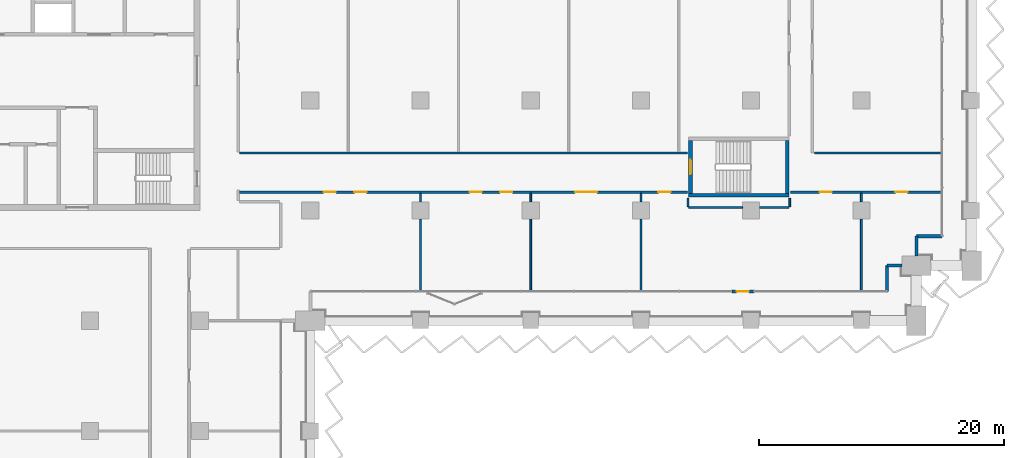
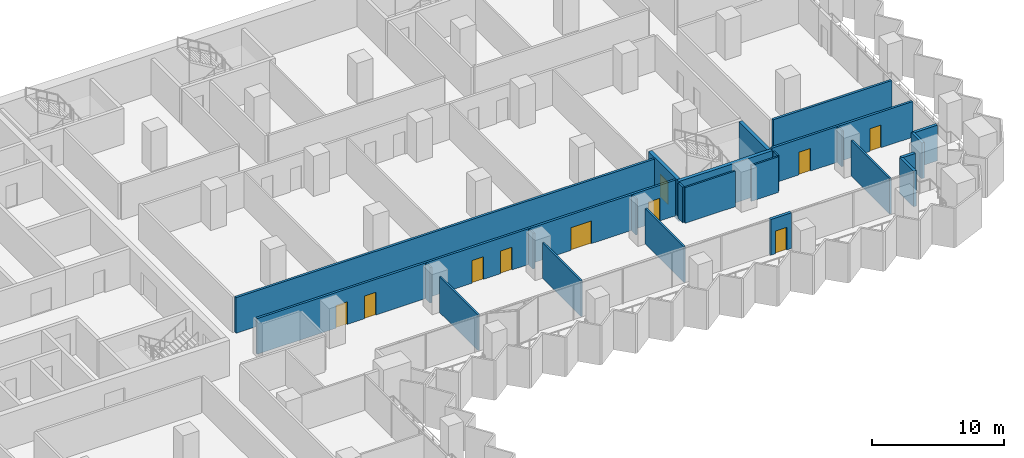
# One storey, part 13 of 28: 24 walls, 10 doors, 10 openings.
"""IFC4 building model written with IfcOpenShell, lengths in metres."""

from ifc_helpers import new_model, si_unit, direction, frame, frame_2d, origin, place, context, subcontext, project, spatial, rectangle, extrude, material, layer, layer_set, type_object, element, fill, save


model = new_model("IFC4")

# Units and contexts
model_context = context("Model", 3, precision=1e-05, world=origin(), true_north=direction((0.0, 1.0)))
body_context = subcontext(model_context, "Body", "Model", "MODEL_VIEW")
ifc_project = project(units=[si_unit("LENGTHUNIT", "METRE"), si_unit("AREAUNIT", "SQUARE_METRE"), si_unit("VOLUMEUNIT", "CUBIC_METRE"), si_unit("PLANEANGLEUNIT", "RADIAN"), si_unit("MASSUNIT", "GRAM", prefix="KILO")], contexts=[model_context])

# Site, building, storey
site_placement = place(None, origin())
site = spatial("IfcSite", under=ifc_project, at=site_placement, CompositionType="ELEMENT")
building_placement = place(site_placement, origin())
building = spatial("IfcBuilding", under=site, at=building_placement, Name="Hunhe Ridgeline Campus", CompositionType="ELEMENT")
storey_placement = place(building_placement, frame((0.0, 0.0, 43.199951171875)))
storey = spatial("IfcBuildingStorey", under=building, at=storey_placement, Name="L09", CompositionType="ELEMENT", Elevation=43.199951171875)

# Walls
ifc_material_1 = material(Name="Concrete C30", Category="concrete")
ifc_layer_1 = layer(ifc_material_1, 0.25)
ifc_layer_set_1 = layer_set([ifc_layer_1], Name="Corner return wall 250 Concrete C30")
wall_type_1 = type_object("IfcWallType", Name="Corner return wall 250 Concrete C30", PredefinedType="SOLIDWALL", material=ifc_layer_set_1)
wall_1_placement = place(storey_placement, frame((92.09912109375, 56.40087890625, 0.0), z_axis=(0.0, 0.0, 1.0), x_axis=(0.00011626555, 0.999999993241, 0.0)))
element("IfcWall", 1, at=wall_1_placement, inside=storey, type_object=wall_type_1, Name="Corner return wall 4", PredefinedType="SOLIDWALL", context=body_context, shape_type="SweptSolid", body=[
    extrude(rectangle(XDim=2.099853515625, YDim=0.25, at=frame_2d((1.0498046875, 0.0))), origin(), (0.0, 0.0, 1.0), 3.300048828125),
])
wall_2_placement = place(storey_placement, frame((92.099365234375, 58.500732421875, 0.0), z_axis=(0.0, 0.0, 1.0), x_axis=(1.0, 0.0, 0.0)))
element("IfcWall", 2, at=wall_2_placement, inside=storey, type_object=wall_type_1, Name="Corner return wall 5", PredefinedType="SOLIDWALL", context=body_context, shape_type="SweptSolid", body=[
    extrude(rectangle(XDim=1.20068359375, YDim=0.25, at=frame_2d((0.600341796875, 0.0))), origin(), (0.0, 0.0, 1.0), 3.300048828125),
])
wall_3_placement = place(storey_placement, frame((94.4990234375, 59.300048828125, 0.0), z_axis=(0.0, 0.0, 1.0), x_axis=(0.00015253203, 0.999999988367, 0.0)))
element("IfcWall", 3, at=wall_3_placement, inside=storey, type_object=wall_type_1, Name="Corner return wall 6", PredefinedType="SOLIDWALL", context=body_context, shape_type="SweptSolid", body=[
    extrude(rectangle(XDim=1.6005859375, YDim=0.25, at=frame_2d((0.80029296875, 0.0))), origin(), (0.0, 0.0, 1.0), 3.300048828125),
])
wall_4_placement = place(storey_placement, frame((94.499267578125, 60.900634765625, 0.0), z_axis=(0.0, 0.0, 1.0), x_axis=(0.999999993241, 0.00011626555, 0.0)))
element("IfcWall", 4, at=wall_4_placement, inside=storey, type_object=wall_type_1, Name="Corner return wall 7", PredefinedType="SOLIDWALL", context=body_context, shape_type="SweptSolid", body=[
    extrude(rectangle(XDim=2.099853515625, YDim=0.25, at=frame_2d((1.0498046875, 0.0))), origin(), (0.0, 0.0, 1.0), 3.300048828125),
])

# Wall, openings, doors
ifc_material_2 = material(Name="Gypsum board partition")
ifc_layer_2 = layer(ifc_material_2, 0.199951171875)
ifc_layer_set_2 = layer_set([ifc_layer_2], Name="Corridor partition 200 gypsum board on steel studs")
wall_type_2 = type_object("IfcWallType", Name="Corridor partition 200 gypsum board on steel studs", PredefinedType="PARTITIONING", material=ifc_layer_set_2)
wall_5_placement = place(storey_placement, frame((75.7958984375, 64.5, 0.0), z_axis=(0.0, 0.0, 1.0), x_axis=(-1.0, 0.0, 0.0)))
wall_5 = element("IfcWall", 5, at=wall_5_placement, inside=storey, type_object=wall_type_2, Name="F-L09-wall-034", PredefinedType="PARTITIONING", context=body_context, shape_type="SweptSolid", body=[
    extrude(rectangle(XDim=36.595947265625, YDim=0.199951171875, at=frame_2d((18.2978515625, 0.0))), origin(), (0.0, 0.0, 1.0), 3.300048828125),
])
opening_1_placement = place(wall_5_placement, frame((28.70166015625, 0.0, 0.0)))
opening_1 = element("IfcOpeningElement", 6, at=opening_1_placement, cuts=wall_5, Name="Opening RD1-023", PredefinedType="OPENING", context=body_context, shape_type="SweptSolid", body=[
    extrude(rectangle(XDim=1.0, YDim=2.10009765625, at=frame_2d((0.5, 1.050048828125))), frame((0.0, 0.10009765625, 0.0), z_axis=(0.0, -1.0, 0.0), x_axis=(1.0, 0.0, 0.0)), (0.0, 0.0, 1.0), 0.199951171875),
])
opening_2_placement = place(wall_5_placement, frame((26.20166015625, 0.0, 0.0)))
opening_2 = element("IfcOpeningElement", 7, at=opening_2_placement, cuts=wall_5, Name="Opening RD1-024", PredefinedType="OPENING", context=body_context, shape_type="SweptSolid", body=[
    extrude(rectangle(XDim=1.0, YDim=2.10009765625, at=frame_2d((0.5, 1.050048828125))), frame((0.0, 0.10009765625, 0.0), z_axis=(0.0, -1.0, 0.0), x_axis=(1.0, 0.0, 0.0)), (0.0, 0.0, 1.0), 0.199951171875),
])
opening_3_placement = place(wall_5_placement, frame((16.79541015625, 0.0, 0.0)))
opening_3 = element("IfcOpeningElement", 8, at=opening_3_placement, cuts=wall_5, Name="Opening RD1-025", PredefinedType="OPENING", context=body_context, shape_type="SweptSolid", body=[
    extrude(rectangle(XDim=1.0, YDim=2.10009765625, at=frame_2d((0.5, 1.050048828125))), frame((0.0, 0.10009765625, 0.0), z_axis=(0.0, -1.0, 0.0), x_axis=(1.0, 0.0, 0.0)), (0.0, 0.0, 1.0), 0.199951171875),
])
opening_4_placement = place(wall_5_placement, frame((14.29541015625, 0.0, 0.0)))
opening_4 = element("IfcOpeningElement", 9, at=opening_4_placement, cuts=wall_5, Name="Opening RD1-026", PredefinedType="OPENING", context=body_context, shape_type="SweptSolid", body=[
    extrude(rectangle(XDim=1.0, YDim=2.10009765625, at=frame_2d((0.5, 1.050048828125))), frame((0.0, 0.10009765625, 0.0), z_axis=(0.0, -1.0, 0.0), x_axis=(1.0, 0.0, 0.0)), (0.0, 0.0, 1.0), 0.199951171875),
])
opening_5_placement = place(wall_5_placement, frame((7.37158203125, 0.0, 0.0)))
opening_5 = element("IfcOpeningElement", 10, at=opening_5_placement, cuts=wall_5, Name="Opening RD2-027", PredefinedType="OPENING", context=body_context, shape_type="SweptSolid", body=[
    extrude(rectangle(XDim=1.800048828125, YDim=2.10009765625, at=frame_2d((0.89990234375, 1.050048828125))), frame((0.0, 0.10009765625, 0.0), z_axis=(0.0, -1.0, 0.0), x_axis=(1.0, 0.0, 0.0)), (0.0, 0.0, 1.0), 0.199951171875),
])
opening_6_placement = place(wall_5_placement, frame((1.3798828125, 0.0, 0.0)))
opening_6 = element("IfcOpeningElement", 11, at=opening_6_placement, cuts=wall_5, Name="Opening RD1-028", PredefinedType="OPENING", context=body_context, shape_type="SweptSolid", body=[
    extrude(rectangle(XDim=1.0, YDim=2.10009765625, at=frame_2d((0.5, 1.050048828125))), frame((0.0, 0.10009765625, 0.0), z_axis=(0.0, -1.0, 0.0), x_axis=(1.0, 0.0, 0.0)), (0.0, 0.0, 1.0), 0.199951171875),
])
ifc_material_3 = material(Name="Timber door leaf", Category="wood")
door_type_1 = type_object("IfcDoorType", Name="Double fire door 1800x2100 timber FD60", OperationType="DOUBLE_DOOR_SINGLE_SWING", PredefinedType="DOOR", material=ifc_material_3)
door_1_placement = place(opening_5_placement, origin())
door_1 = element("IfcDoor", 12, at=door_1_placement, inside=storey, type_object=door_type_1, Name="F-L09-door-027", OperationType="DOUBLE_DOOR_SINGLE_SWING", OverallHeight=2.10009765625, OverallWidth=1.800048828125, PredefinedType="DOOR", context=body_context, shape_type="SweptSolid", body=[
    extrude(rectangle(XDim=1.800048828125, YDim=2.10009765625, at=frame_2d((0.89990234375, 1.050048828125))), frame((0.0, 0.02490234375, 0.0), z_axis=(0.0, -1.0, 0.0), x_axis=(1.0, 0.0, 0.0)), (0.0, 0.0, 1.0), 0.050048828125),
])
fill(opening_5, door_1)
door_type_2 = type_object("IfcDoorType", Name="Single fire door 1000x2100 timber FD60", OperationType="NOTDEFINED", PredefinedType="DOOR", material=ifc_material_3)
door_2_placement = place(opening_1_placement, frame((1.0, 0.0, 0.0), z_axis=(0.0, 0.0, 1.0), x_axis=(-1.0, 0.0, 0.0)))
door_2 = element("IfcDoor", 13, at=door_2_placement, inside=storey, type_object=door_type_2, Name="F-L09-door-023", OperationType="SINGLE_SWING_RIGHT", OverallHeight=2.10009765625, OverallWidth=1.0, PredefinedType="DOOR", context=body_context, shape_type="SweptSolid", body=[
    extrude(rectangle(XDim=1.0, YDim=2.10009765625, at=frame_2d((0.5, 1.050048828125))), frame((0.0, 0.02490234375, 0.0), z_axis=(0.0, -1.0, 0.0), x_axis=(1.0, 0.0, 0.0)), (0.0, 0.0, 1.0), 0.050048828125),
])
fill(opening_1, door_2)
door_3_placement = place(opening_2_placement, frame((1.0, 0.0, 0.0), z_axis=(0.0, 0.0, 1.0), x_axis=(-1.0, 0.0, 0.0)))
door_3 = element("IfcDoor", 14, at=door_3_placement, inside=storey, type_object=door_type_2, Name="F-L09-door-024", OperationType="SINGLE_SWING_RIGHT", OverallHeight=2.10009765625, OverallWidth=1.0, PredefinedType="DOOR", context=body_context, shape_type="SweptSolid", body=[
    extrude(rectangle(XDim=1.0, YDim=2.10009765625, at=frame_2d((0.5, 1.050048828125))), frame((0.0, 0.02490234375, 0.0), z_axis=(0.0, -1.0, 0.0), x_axis=(1.0, 0.0, 0.0)), (0.0, 0.0, 1.0), 0.050048828125),
])
fill(opening_2, door_3)
door_4_placement = place(opening_3_placement, frame((1.0, 0.0, 0.0), z_axis=(0.0, 0.0, 1.0), x_axis=(-1.0, 0.0, 0.0)))
door_4 = element("IfcDoor", 15, at=door_4_placement, inside=storey, type_object=door_type_2, Name="F-L09-door-025", OperationType="SINGLE_SWING_RIGHT", OverallHeight=2.10009765625, OverallWidth=1.0, PredefinedType="DOOR", context=body_context, shape_type="SweptSolid", body=[
    extrude(rectangle(XDim=1.0, YDim=2.10009765625, at=frame_2d((0.5, 1.050048828125))), frame((0.0, 0.02490234375, 0.0), z_axis=(0.0, -1.0, 0.0), x_axis=(1.0, 0.0, 0.0)), (0.0, 0.0, 1.0), 0.050048828125),
])
fill(opening_3, door_4)
door_5_placement = place(opening_4_placement, frame((1.0, 0.0, 0.0), z_axis=(0.0, 0.0, 1.0), x_axis=(-1.0, 0.0, 0.0)))
door_5 = element("IfcDoor", 16, at=door_5_placement, inside=storey, type_object=door_type_2, Name="F-L09-door-026", OperationType="SINGLE_SWING_RIGHT", OverallHeight=2.10009765625, OverallWidth=1.0, PredefinedType="DOOR", context=body_context, shape_type="SweptSolid", body=[
    extrude(rectangle(XDim=1.0, YDim=2.10009765625, at=frame_2d((0.5, 1.050048828125))), frame((0.0, 0.02490234375, 0.0), z_axis=(0.0, -1.0, 0.0), x_axis=(1.0, 0.0, 0.0)), (0.0, 0.0, 1.0), 0.050048828125),
])
fill(opening_4, door_5)
door_6_placement = place(opening_6_placement, frame((1.0, 0.0, 0.0), z_axis=(0.0, 0.0, 1.0), x_axis=(-1.0, 0.0, 0.0)))
door_6 = element("IfcDoor", 17, at=door_6_placement, inside=storey, type_object=door_type_2, Name="F-L09-door-028", OperationType="SINGLE_SWING_RIGHT", OverallHeight=2.10009765625, OverallWidth=1.0, PredefinedType="DOOR", context=body_context, shape_type="SweptSolid", body=[
    extrude(rectangle(XDim=1.0, YDim=2.10009765625, at=frame_2d((0.5, 1.050048828125))), frame((0.0, 0.02490234375, 0.0), z_axis=(0.0, -1.0, 0.0), x_axis=(1.0, 0.0, 0.0)), (0.0, 0.0, 1.0), 0.050048828125),
])
fill(opening_6, door_6)

wall_6_placement = place(storey_placement, frame((96.544921875, 64.5, 0.0), z_axis=(0.0, 0.0, 1.0), x_axis=(-1.0, 0.0, 0.0)))
wall_6 = element("IfcWall", 18, at=wall_6_placement, inside=storey, type_object=wall_type_2, Name="F-L09-wall-035", PredefinedType="PARTITIONING", context=body_context, shape_type="SweptSolid", body=[
    extrude(rectangle(XDim=12.3408203125, YDim=0.199951171875, at=frame_2d((6.17041015625, 0.0))), origin(), (0.0, 0.0, 1.0), 3.300048828125),
])
opening_7_placement = place(wall_6_placement, frame((8.944580078125, 0.0, 0.0)))
opening_7 = element("IfcOpeningElement", 19, at=opening_7_placement, cuts=wall_6, Name="Opening RD1-029", PredefinedType="OPENING", context=body_context, shape_type="SweptSolid", body=[
    extrude(rectangle(XDim=1.0, YDim=2.10009765625, at=frame_2d((0.5, 1.050048828125))), frame((0.0, 0.10009765625, 0.0), z_axis=(0.0, -1.0, 0.0), x_axis=(1.0, 0.0, 0.0)), (0.0, 0.0, 1.0), 0.199951171875),
])
opening_8_placement = place(wall_6_placement, frame((2.774169921875, 0.0, 0.0)))
opening_8 = element("IfcOpeningElement", 20, at=opening_8_placement, cuts=wall_6, Name="Opening RD1-030", PredefinedType="OPENING", context=body_context, shape_type="SweptSolid", body=[
    extrude(rectangle(XDim=1.0, YDim=2.10009765625, at=frame_2d((0.5, 1.050048828125))), frame((0.0, 0.10009765625, 0.0), z_axis=(0.0, -1.0, 0.0), x_axis=(1.0, 0.0, 0.0)), (0.0, 0.0, 1.0), 0.199951171875),
])
door_7_placement = place(opening_7_placement, frame((1.0, 0.0, 0.0), z_axis=(0.0, 0.0, 1.0), x_axis=(-1.0, 0.0, 0.0)))
door_7 = element("IfcDoor", 21, at=door_7_placement, inside=storey, type_object=door_type_2, Name="F-L09-door-029", OperationType="SINGLE_SWING_RIGHT", OverallHeight=2.10009765625, OverallWidth=1.0, PredefinedType="DOOR", context=body_context, shape_type="SweptSolid", body=[
    extrude(rectangle(XDim=1.0, YDim=2.10009765625, at=frame_2d((0.5, 1.050048828125))), frame((0.0, 0.02490234375, 0.0), z_axis=(0.0, -1.0, 0.0), x_axis=(1.0, 0.0, 0.0)), (0.0, 0.0, 1.0), 0.050048828125),
])
fill(opening_7, door_7)
door_8_placement = place(opening_8_placement, origin())
door_8 = element("IfcDoor", 22, at=door_8_placement, inside=storey, type_object=door_type_2, Name="F-L09-door-030", OperationType="SINGLE_SWING_RIGHT", OverallHeight=2.10009765625, OverallWidth=1.0, PredefinedType="DOOR", context=body_context, shape_type="SweptSolid", body=[
    extrude(rectangle(XDim=1.0, YDim=2.10009765625, at=frame_2d((0.5, 1.050048828125))), frame((0.0, 0.02490234375, 0.0), z_axis=(0.0, -1.0, 0.0), x_axis=(1.0, 0.0, 0.0)), (0.0, 0.0, 1.0), 0.050048828125),
])
fill(opening_8, door_8)

# Walls
wall_7_placement = place(storey_placement, frame((39.199951171875, 67.699951171875, 0.0), z_axis=(0.0, 0.0, 1.0), x_axis=(1.0, 0.0, 0.0)))
element("IfcWall", 23, at=wall_7_placement, inside=storey, type_object=wall_type_2, Name="F-L09-wall-036", PredefinedType="PARTITIONING", context=body_context, shape_type="SweptSolid", body=[
    extrude(rectangle(XDim=36.595947265625, YDim=0.199951171875, at=frame_2d((18.2978515625, 0.0))), origin(), (0.0, 0.0, 1.0), 3.300048828125),
])
wall_8_placement = place(storey_placement, frame((86.178466796875, 67.699951171875, 0.0), z_axis=(0.0, 0.0, 1.0), x_axis=(1.0, 0.0, 0.0)))
element("IfcWall", 24, at=wall_8_placement, inside=storey, type_object=wall_type_2, Name="F-L09-wall-037", PredefinedType="PARTITIONING", context=body_context, shape_type="SweptSolid", body=[
    extrude(rectangle(XDim=10.366455078125, YDim=0.199951171875, at=frame_2d((5.18310546875, 0.0))), origin(), (0.0, 0.0, 1.0), 3.300048828125),
])

# Wall, opening, door
ifc_layer_3 = layer(ifc_material_1, 0.25)
ifc_layer_set_3 = layer_set([ifc_layer_3], Name="Loggia door pier wall 250 Concrete C30")
wall_type_3 = type_object("IfcWallType", Name="Loggia door pier wall 250 Concrete C30", PredefinedType="SOLIDWALL", material=ifc_layer_set_3)
wall_9_placement = place(storey_placement, frame((79.424072265625, 56.40087890625, 0.0), z_axis=(0.0, 0.0, 1.0), x_axis=(1.0, 0.0, 0.0)))
wall_9 = element("IfcWall", 25, at=wall_9_placement, inside=storey, type_object=wall_type_3, Name="Loggia door pier 4", PredefinedType="SOLIDWALL", context=body_context, shape_type="SweptSolid", body=[
    extrude(rectangle(XDim=1.800048828125, YDim=0.25, at=frame_2d((0.89990234375, 0.0))), origin(), (0.0, 0.0, 1.0), 3.300048828125),
])
opening_9_placement = place(wall_9_placement, frame((0.39990234375, 0.0, 0.0)))
opening_9 = element("IfcOpeningElement", 26, at=opening_9_placement, cuts=wall_9, Name="Opening BD107", PredefinedType="OPENING", context=body_context, shape_type="SweptSolid", body=[
    extrude(rectangle(XDim=1.0, YDim=2.10009765625, at=frame_2d((0.5, 1.050048828125))), frame((0.0, 0.125, 0.0), z_axis=(0.0, -1.0, 0.0), x_axis=(1.0, 0.0, 0.0)), (0.0, 0.0, 1.0), 0.25),
])
ifc_material_4 = material(Name="Aluminium 6063", Category="aluminium")
door_type_3 = type_object("IfcDoorType", Name="Loggia glazed door 1000x2100", OperationType="NOTDEFINED", PredefinedType="DOOR", material=ifc_material_4)
door_9_placement = place(opening_9_placement, frame((1.0, 0.0, 0.0), z_axis=(0.0, 0.0, 1.0), x_axis=(-1.0, 0.0, 0.0)))
door_9 = element("IfcDoor", 27, at=door_9_placement, inside=storey, type_object=door_type_3, Name="Loggia door BD107", OperationType="SINGLE_SWING_RIGHT", OverallHeight=2.10009765625, OverallWidth=1.0, PredefinedType="DOOR", context=body_context, shape_type="SweptSolid", body=[
    extrude(rectangle(XDim=1.0, YDim=2.10009765625, at=frame_2d((0.5, 1.050048828125))), frame((0.0, 0.02490234375, 0.0), z_axis=(0.0, -1.0, 0.0), x_axis=(1.0, 0.0, 0.0)), (0.0, 0.0, 1.0), 0.050048828125),
])
fill(opening_9, door_9)

# Walls
ifc_layer_4 = layer(ifc_material_2, 0.14990234375)
ifc_layer_set_4 = layer_set([ifc_layer_4], Name="Room partition 150 gypsum board on steel studs")
wall_type_4 = type_object("IfcWallType", Name="Room partition 150 gypsum board on steel studs", PredefinedType="PARTITIONING", material=ifc_layer_set_4)
wall_10_placement = place(storey_placement, frame((75.925048828125, 63.25, 0.0), z_axis=(0.0, 0.0, 1.0), x_axis=(1.0, 0.0, 0.0)))
element("IfcWall", 28, at=wall_10_placement, inside=storey, type_object=wall_type_4, Name="F-L09-wall-031", PredefinedType="PARTITIONING", context=body_context, shape_type="SweptSolid", body=[
    extrude(rectangle(XDim=4.375, YDim=0.14990234375, at=frame_2d((2.1875, 0.0))), origin(), (0.0, 0.0, 1.0), 3.300048828125),
])
wall_11_placement = place(storey_placement, frame((81.699951171875, 63.25, 0.0), z_axis=(0.0, 0.0, 1.0), x_axis=(1.0, 0.0, 0.0)))
element("IfcWall", 29, at=wall_11_placement, inside=storey, type_object=wall_type_4, Name="F-L09-wall-032", PredefinedType="PARTITIONING", context=body_context, shape_type="SweptSolid", body=[
    extrude(rectangle(XDim=2.375, YDim=0.14990234375, at=frame_2d((1.1875, 0.0))), origin(), (0.0, 0.0, 1.0), 3.300048828125),
])
wall_12_placement = place(storey_placement, frame((54.0, 62.300048828125, 0.0), z_axis=(0.0, 0.0, 1.0), x_axis=(0.0, -1.0, 0.0)))
element("IfcWall", 30, at=wall_12_placement, inside=storey, type_object=wall_type_4, Name="F-L09-wall-061", PredefinedType="PARTITIONING", context=body_context, shape_type="SweptSolid", body=[
    extrude(rectangle(XDim=5.84521484375, YDim=0.14990234375, at=frame_2d((2.922607421875, 0.0))), origin(), (0.0, 0.0, 1.0), 3.300048828125),
])
wall_13_placement = place(storey_placement, frame((54.0, 64.39990234375, 0.0), z_axis=(0.0, 0.0, 1.0), x_axis=(0.0, -1.0, 0.0)))
element("IfcWall", 31, at=wall_13_placement, inside=storey, type_object=wall_type_4, Name="F-L09-wall-062", PredefinedType="PARTITIONING", context=body_context, shape_type="SweptSolid", body=[
    extrude(rectangle(XDim=0.699951171875, YDim=0.14990234375, at=frame_2d((0.35009765625, 0.0))), origin(), (0.0, 0.0, 1.0), 3.300048828125),
])
wall_14_placement = place(storey_placement, frame((63.0, 62.300048828125, 0.0), z_axis=(0.0, 0.0, 1.0), x_axis=(0.0, -1.0, 0.0)))
element("IfcWall", 32, at=wall_14_placement, inside=storey, type_object=wall_type_4, Name="F-L09-wall-065", PredefinedType="PARTITIONING", context=body_context, shape_type="SweptSolid", body=[
    extrude(rectangle(XDim=5.84521484375, YDim=0.14990234375, at=frame_2d((2.922607421875, 0.0))), origin(), (0.0, 0.0, 1.0), 3.300048828125),
])
wall_15_placement = place(storey_placement, frame((63.0, 64.39990234375, 0.0), z_axis=(0.0, 0.0, 1.0), x_axis=(0.0, -1.0, 0.0)))
element("IfcWall", 33, at=wall_15_placement, inside=storey, type_object=wall_type_4, Name="F-L09-wall-066", PredefinedType="PARTITIONING", context=body_context, shape_type="SweptSolid", body=[
    extrude(rectangle(XDim=0.699951171875, YDim=0.14990234375, at=frame_2d((0.35009765625, 0.0))), origin(), (0.0, 0.0, 1.0), 3.300048828125),
])
wall_16_placement = place(storey_placement, frame((72.0, 62.300048828125, 0.0), z_axis=(0.0, 0.0, 1.0), x_axis=(0.0, -1.0, 0.0)))
element("IfcWall", 34, at=wall_16_placement, inside=storey, type_object=wall_type_4, Name="F-L09-wall-070", PredefinedType="PARTITIONING", context=body_context, shape_type="SweptSolid", body=[
    extrude(rectangle(XDim=5.84521484375, YDim=0.14990234375, at=frame_2d((2.922607421875, 0.0))), origin(), (0.0, 0.0, 1.0), 3.300048828125),
])
wall_17_placement = place(storey_placement, frame((72.0, 64.39990234375, 0.0), z_axis=(0.0, 0.0, 1.0), x_axis=(0.0, -1.0, 0.0)))
element("IfcWall", 35, at=wall_17_placement, inside=storey, type_object=wall_type_4, Name="F-L09-wall-071", PredefinedType="PARTITIONING", context=body_context, shape_type="SweptSolid", body=[
    extrude(rectangle(XDim=0.699951171875, YDim=0.14990234375, at=frame_2d((0.35009765625, 0.0))), origin(), (0.0, 0.0, 1.0), 3.300048828125),
])
for number, where, z_axis, x_axis, name in (
    (36, (75.85009765625, 63.99609375, 0.0), (0.0, 0.0, 1.0), (0.0, -1.0, 0.0), "F-L09-wall-074"),
    (37, (84.14990234375, 63.99609375, 0.0), (0.0, 0.0, 1.0), (0.0, -1.0, 0.0), "F-L09-wall-076"),
):
    element("IfcWall", number, at=place(storey_placement, frame(where, z_axis=z_axis, x_axis=x_axis)), inside=storey, type_object=wall_type_4, Name=name, PredefinedType="PARTITIONING", context=body_context, shape_type="SweptSolid", body=[
        extrude(rectangle(XDim=0.671142578125, YDim=0.14990234375, at=frame_2d((0.33544921875, 0.0))), origin(), (0.0, 0.0, 1.0), 3.300048828125),
    ])
wall_18_placement = place(storey_placement, frame((90.0, 62.300048828125, 0.0), z_axis=(0.0, 0.0, 1.0), x_axis=(0.0, -1.0, 0.0)))
element("IfcWall", 38, at=wall_18_placement, inside=storey, type_object=wall_type_4, Name="F-L09-wall-080", PredefinedType="PARTITIONING", context=body_context, shape_type="SweptSolid", body=[
    extrude(rectangle(XDim=5.844970703125, YDim=0.14990234375, at=frame_2d((2.92236328125, 0.0))), origin(), (0.0, 0.0, 1.0), 3.300048828125),
])
wall_19_placement = place(storey_placement, frame((90.0, 64.39990234375, 0.0), z_axis=(0.0, 0.0, 1.0), x_axis=(0.0, -1.0, 0.0)))
element("IfcWall", 39, at=wall_19_placement, inside=storey, type_object=wall_type_4, Name="F-L09-wall-081", PredefinedType="PARTITIONING", context=body_context, shape_type="SweptSolid", body=[
    extrude(rectangle(XDim=0.699951171875, YDim=0.14990234375, at=frame_2d((0.35009765625, 0.0))), origin(), (0.0, 0.0, 1.0), 3.300048828125),
])
ifc_material_5 = material(Name="Concrete C80", Category="concrete")
ifc_layer_5 = layer(ifc_material_5, 0.300048828125)
ifc_layer_set_5 = layer_set([ifc_layer_5], Name="Stair wall 300 reinforced concrete C80")
wall_type_5 = type_object("IfcWallType", Name="Stair wall 300 reinforced concrete C80", PredefinedType="SOLIDWALL", material=ifc_layer_set_5)
wall_20_placement = place(storey_placement, frame((75.89990234375, 64.25, -0.39990234375), z_axis=(0.0, 0.0, 1.0), x_axis=(1.0, 0.0, 0.0)))
element("IfcWall", 40, at=wall_20_placement, inside=storey, type_object=wall_type_5, Name="L09 core wall 8", PredefinedType="SOLIDWALL", context=body_context, shape_type="SweptSolid", body=[
    extrude(rectangle(XDim=8.2001953125, YDim=0.300048828125, at=frame_2d((4.10009765625, 0.0))), origin(), (0.0, 0.0, 1.0), 3.699951171875),
])

# Wall, opening, door
wall_21_placement = place(storey_placement, frame((76.050048828125, 64.39990234375, -0.39990234375), z_axis=(0.0, 0.0, 1.0), x_axis=(0.0, 1.0, 0.0)))
wall_21 = element("IfcWall", 41, at=wall_21_placement, inside=storey, type_object=wall_type_5, Name="L09 core wall 71", PredefinedType="SOLIDWALL", context=body_context, shape_type="SweptSolid", body=[
    extrude(rectangle(XDim=4.300048828125, YDim=0.300048828125, at=frame_2d((2.14990234375, 0.0))), origin(), (0.0, 0.0, 1.0), 3.699951171875),
])
opening_10_placement = place(wall_21_placement, frame((1.550048828125, 0.0, 0.39990234375)))
opening_10 = element("IfcOpeningElement", 42, at=opening_10_placement, cuts=wall_21, Name="Opening CD24", PredefinedType="OPENING", context=body_context, shape_type="SweptSolid", body=[
    extrude(rectangle(XDim=1.199951171875, YDim=2.10009765625, at=frame_2d((0.60009765625, 1.050048828125))), frame((0.0, 0.14990234375, 0.0), z_axis=(0.0, -1.0, 0.0), x_axis=(1.0, 0.0, 0.0)), (0.0, 0.0, 1.0), 0.300048828125),
])
ifc_material_6 = material(Name="Hollow metal fire door leaf")
door_type_4 = type_object("IfcDoorType", Name="Stair door 1200x2100 FD60", OperationType="SINGLE_SWING_LEFT", PredefinedType="DOOR", material=ifc_material_6)
door_10_placement = place(opening_10_placement, origin())
door_10 = element("IfcDoor", 43, at=door_10_placement, inside=storey, type_object=door_type_4, Name="L09 door E5", OperationType="SINGLE_SWING_RIGHT", OverallHeight=2.10009765625, OverallWidth=1.199951171875, PredefinedType="DOOR", context=body_context, shape_type="SweptSolid", body=[
    extrude(rectangle(XDim=1.199951171875, YDim=2.10009765625, at=frame_2d((0.60009765625, 1.050048828125))), frame((0.0, 0.02490234375, 0.0), z_axis=(0.0, -1.0, 0.0), x_axis=(1.0, 0.0, 0.0)), (0.0, 0.0, 1.0), 0.050048828125),
])
fill(opening_10, door_10)

# Wall
wall_22_placement = place(storey_placement, frame((83.949951171875, 64.39990234375, -0.39990234375), z_axis=(0.0, 0.0, 1.0), x_axis=(0.0, 1.0, 0.0)))
element("IfcWall", 44, at=wall_22_placement, inside=storey, type_object=wall_type_5, Name="L09 core wall 72", PredefinedType="SOLIDWALL", context=body_context, shape_type="SweptSolid", body=[
    extrude(rectangle(XDim=4.300048828125, YDim=0.300048828125, at=frame_2d((2.14990234375, 0.0))), origin(), (0.0, 0.0, 1.0), 3.699951171875),
])

save(model, "model.ifc")
